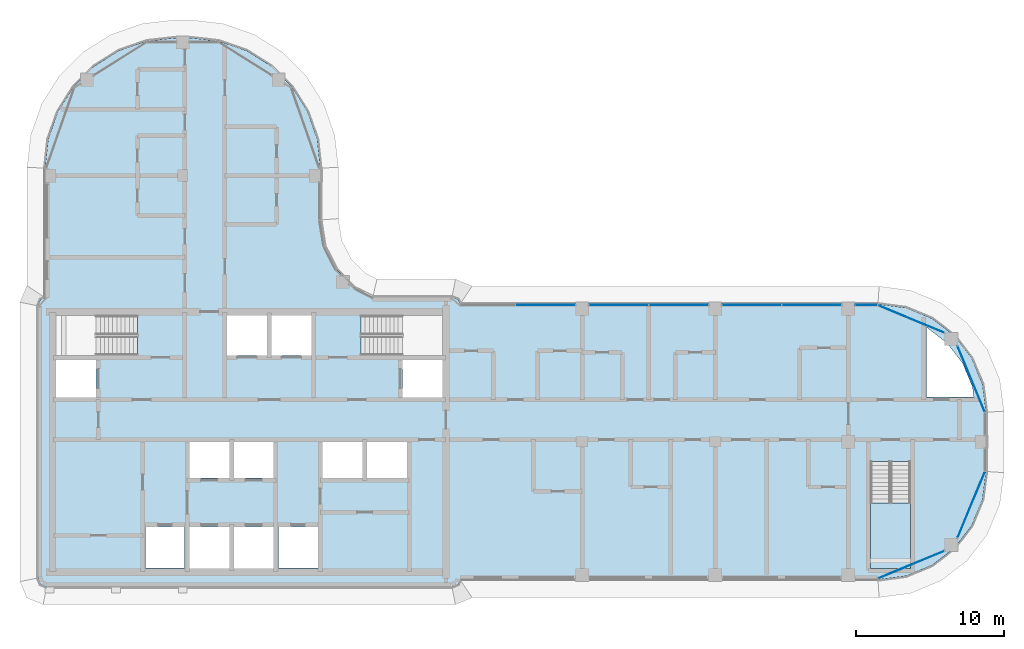
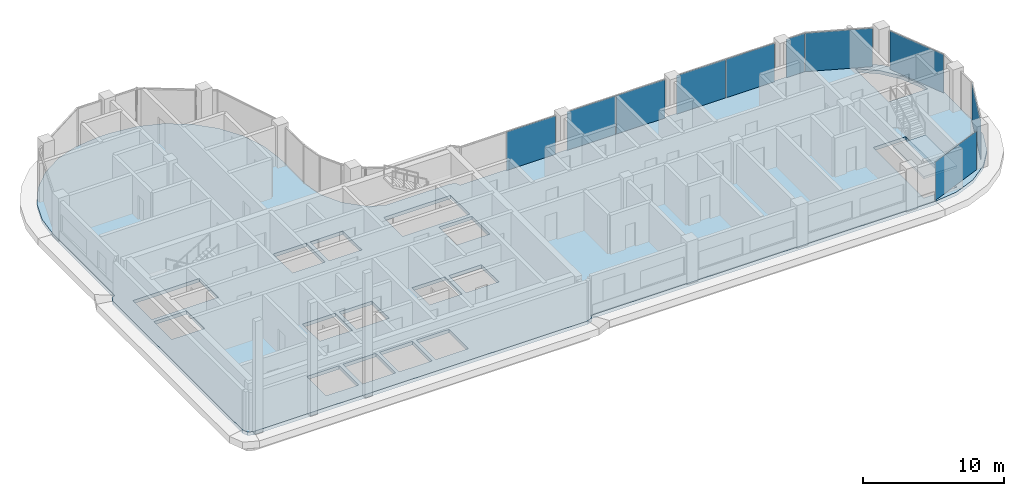
# One storey, part 8 of 20: 10 plates, 2 slabs, 9 elements without a shape of their own.
"""IFC4 building model written with IfcOpenShell, lengths in metres."""

from ifc_helpers import new_model, si_unit, direction, frame, origin, origin_2d, place, context, subcontext, project, spatial, polyline, rectangle, outline, extrude, material, layer, layer_set, type_object, element, aggregate, save


model = new_model("IFC4")

# Units and contexts
model_context = context("Model", 3, precision=1e-05, world=origin(), true_north=direction((0.0, 1.0)))
body_context = subcontext(model_context, "Body", "Model", "MODEL_VIEW")
ifc_project = project(units=[si_unit("LENGTHUNIT", "METRE"), si_unit("AREAUNIT", "SQUARE_METRE"), si_unit("VOLUMEUNIT", "CUBIC_METRE"), si_unit("PLANEANGLEUNIT", "RADIAN"), si_unit("MASSUNIT", "GRAM", prefix="KILO")], contexts=[model_context])

# Site, building, storey
site_placement = place(None, origin())
site = spatial("IfcSite", under=ifc_project, at=site_placement, CompositionType="ELEMENT")
building_placement = place(site_placement, origin())
building = spatial("IfcBuilding", under=site, at=building_placement, Name="Ogive Portal Towers", CompositionType="ELEMENT")
storey_placement = place(building_placement, frame((0.0, 0.0, 214.300048828125)))
storey = spatial("IfcBuildingStorey", under=building, at=storey_placement, Name="L53", CompositionType="ELEMENT", Elevation=214.300048828125)

# Curtain wall, plate
ifc_material_1 = material(Name="Glass, clear low-iron insulated glazing", Category="glass")
curtain_wall_type = type_object("IfcCurtainWallType", Name="CW FRONT RIBBON 4500", PredefinedType="NOTDEFINED", material=ifc_material_1)
curtain_wall_1_placement = place(storey_placement, origin())
curtain_wall_1 = element("IfcCurtainWall", 1, at=curtain_wall_1_placement, inside=storey, type_object=curtain_wall_type, Name="A:L53:f26:cw0~0", PredefinedType="NOTDEFINED")
ifc_layer_1 = layer(ifc_material_1, 0.028076171875)
ifc_layer_set_1 = layer_set([ifc_layer_1], Name="CW PANEL IGU 28")
plate_type = type_object("IfcPlateType", Name="CW PANEL IGU 28", PredefinedType="CURTAIN_PANEL", material=ifc_layer_set_1)
plate_1_placement = place(storey_placement, frame((86.717041015625, 39.739990234375, 0.0), z_axis=(0.0, 0.0, 1.0), x_axis=(-1.0, 0.0, 0.0)))
plate_1 = element("IfcPlate", 2, at=plate_1_placement, type_object=plate_type, Name="panel", PredefinedType="CURTAIN_PANEL", context=body_context, shape_type="SweptSolid", body=[
    extrude(rectangle(XDim=1.47412109375, YDim=0.028076171875, at=origin_2d()), origin(), (0.0, 0.0, 1.0), 3.340087890625),
])
aggregate(curtain_wall_1, [plate_1])

# Curtain wall, plates
curtain_wall_2_placement = place(storey_placement, origin())
curtain_wall_2 = element("IfcCurtainWall", 3, at=curtain_wall_2_placement, inside=storey, type_object=curtain_wall_type, Name="A:L53:f26:cw0~1", PredefinedType="NOTDEFINED")
plate_2_placement = place(storey_placement, frame((83.02490234375, 39.739990234375, 0.0), z_axis=(0.0, 0.0, 1.0), x_axis=(-1.0, 0.0, 0.0)))
plate_2 = element("IfcPlate", 4, at=plate_2_placement, type_object=plate_type, Name="panel", PredefinedType="CURTAIN_PANEL", context=body_context, shape_type="SweptSolid", body=[
    extrude(rectangle(XDim=3.989990234375, YDim=0.028076171875, at=origin_2d()), origin(), (0.0, 0.0, 1.0), 3.340087890625),
])
plate_3_placement = place(storey_placement, frame((78.97509765625, 39.739990234375, 0.0), z_axis=(0.0, 0.0, 1.0), x_axis=(-1.0, 0.0, 0.0)))
plate_3 = element("IfcPlate", 5, at=plate_3_placement, type_object=plate_type, Name="panel", PredefinedType="CURTAIN_PANEL", context=body_context, shape_type="SweptSolid", body=[
    extrude(rectangle(XDim=3.989990234375, YDim=0.028076171875, at=origin_2d()), origin(), (0.0, 0.0, 1.0), 3.340087890625),
])
aggregate(curtain_wall_2, [plate_2, plate_3])

curtain_wall_3_placement = place(storey_placement, origin())
curtain_wall_3 = element("IfcCurtainWall", 6, at=curtain_wall_3_placement, inside=storey, type_object=curtain_wall_type, Name="A:L53:f26:cw0~2", PredefinedType="NOTDEFINED")
plate_4_placement = place(storey_placement, frame((74.02490234375, 39.739990234375, 0.0), z_axis=(0.0, 0.0, 1.0), x_axis=(-1.0, 0.0, 0.0)))
plate_4 = element("IfcPlate", 7, at=plate_4_placement, type_object=plate_type, Name="panel", PredefinedType="CURTAIN_PANEL", context=body_context, shape_type="SweptSolid", body=[
    extrude(rectangle(XDim=3.989990234375, YDim=0.028076171875, at=origin_2d()), origin(), (0.0, 0.0, 1.0), 3.340087890625),
])
plate_5_placement = place(storey_placement, frame((69.97509765625, 39.739990234375, 0.0), z_axis=(0.0, 0.0, 1.0), x_axis=(-1.0, 0.0, 0.0)))
plate_5 = element("IfcPlate", 8, at=plate_5_placement, type_object=plate_type, Name="panel", PredefinedType="CURTAIN_PANEL", context=body_context, shape_type="SweptSolid", body=[
    extrude(rectangle(XDim=3.989990234375, YDim=0.028076171875, at=origin_2d()), origin(), (0.0, 0.0, 1.0), 3.340087890625),
])
aggregate(curtain_wall_3, [plate_4, plate_5])

# Curtain wall, plate
curtain_wall_4_placement = place(storey_placement, origin())
curtain_wall_4 = element("IfcCurtainWall", 9, at=curtain_wall_4_placement, inside=storey, type_object=curtain_wall_type, Name="A:L53:f26:cw0~3", PredefinedType="NOTDEFINED")
plate_6_placement = place(storey_placement, frame((65.02490234375, 39.739990234375, 0.0), z_axis=(0.0, 0.0, 1.0), x_axis=(-1.0, 0.0, 0.0)))
plate_6 = element("IfcPlate", 10, at=plate_6_placement, type_object=plate_type, Name="panel", PredefinedType="CURTAIN_PANEL", context=body_context, shape_type="SweptSolid", body=[
    extrude(rectangle(XDim=3.989990234375, YDim=0.028076171875, at=origin_2d()), origin(), (0.0, 0.0, 1.0), 3.340087890625),
])
aggregate(curtain_wall_4, [plate_6])

curtain_wall_5_placement = place(storey_placement, origin())
curtain_wall_5 = element("IfcCurtainWall", 11, at=curtain_wall_5_placement, inside=storey, type_object=curtain_wall_type, Name="A:L53:f21:cwa~0", PredefinedType="NOTDEFINED")
plate_7_placement = place(storey_placement, frame((89.741943359375, 22.1953125, 0.0), z_axis=(0.0, 0.0, 1.0), x_axis=(0.923879532511, 0.382683432365, 0.0)))
plate_7 = element("IfcPlate", 12, at=plate_7_placement, type_object=plate_type, Name="panel", PredefinedType="CURTAIN_PANEL", context=body_context, shape_type="SweptSolid", body=[
    extrude(rectangle(XDim=4.827880859375, YDim=0.028076171875, at=origin_2d()), origin(), (0.0, 0.0, 1.0), 3.340087890625),
])
aggregate(curtain_wall_5, [plate_7])

curtain_wall_6_placement = place(storey_placement, origin())
curtain_wall_6 = element("IfcCurtainWall", 13, at=curtain_wall_6_placement, inside=storey, type_object=curtain_wall_type, Name="A:L53:f21:cwa~1", PredefinedType="NOTDEFINED")
plate_8_placement = place(storey_placement, frame((93.8046875, 26.258056640625, 0.0), z_axis=(0.0, 0.0, 1.0), x_axis=(0.382683432365, 0.923879532511, 0.0)))
plate_8 = element("IfcPlate", 14, at=plate_8_placement, type_object=plate_type, Name="panel", PredefinedType="CURTAIN_PANEL", context=body_context, shape_type="SweptSolid", body=[
    extrude(rectangle(XDim=4.827880859375, YDim=0.028076171875, at=origin_2d()), origin(), (0.0, 0.0, 1.0), 3.340087890625),
])
aggregate(curtain_wall_6, [plate_8])

curtain_wall_7_placement = place(storey_placement, origin())
curtain_wall_7 = element("IfcCurtainWall", 15, at=curtain_wall_7_placement, inside=storey, type_object=curtain_wall_type, Name="A:L53:f24:cwa~0", PredefinedType="NOTDEFINED")
plate_9_placement = place(storey_placement, frame((93.8046875, 34.741943359375, 0.0), z_axis=(0.0, 0.0, 1.0), x_axis=(-0.382683432365, 0.923879532511, 0.0)))
plate_9 = element("IfcPlate", 16, at=plate_9_placement, type_object=plate_type, Name="panel", PredefinedType="CURTAIN_PANEL", context=body_context, shape_type="SweptSolid", body=[
    extrude(rectangle(XDim=4.827880859375, YDim=0.028076171875, at=origin_2d()), origin(), (0.0, 0.0, 1.0), 3.340087890625),
])
aggregate(curtain_wall_7, [plate_9])

curtain_wall_8_placement = place(storey_placement, origin())
curtain_wall_8 = element("IfcCurtainWall", 17, at=curtain_wall_8_placement, inside=storey, type_object=curtain_wall_type, Name="A:L53:f24:cwa~1", PredefinedType="NOTDEFINED")
plate_10_placement = place(storey_placement, frame((89.741943359375, 38.8046875, 0.0), z_axis=(0.0, 0.0, 1.0), x_axis=(-0.923879532511, 0.382683432365, 0.0)))
plate_10 = element("IfcPlate", 18, at=plate_10_placement, type_object=plate_type, Name="panel", PredefinedType="CURTAIN_PANEL", context=body_context, shape_type="SweptSolid", body=[
    extrude(rectangle(XDim=4.827880859375, YDim=0.028076171875, at=origin_2d()), origin(), (0.0, 0.0, 1.0), 3.340087890625),
])
aggregate(curtain_wall_8, [plate_10])

# Stair, slab
ifc_material_2 = material(Name="Concrete C40/50", Category="concrete")
stair_type = type_object("IfcStairType", Name="INT-STAIR", PredefinedType="HALF_TURN_STAIR", material=ifc_material_2)
stair_placement = place(storey_placement, origin())
stair = element("IfcStair", 19, at=stair_placement, inside=storey, type_object=stair_type, Name="L53 Exit Stair ST-A4", PredefinedType="HALF_TURN_STAIR")
ifc_layer_2 = layer(ifc_material_2, 0.199951171875)
ifc_layer_set_2 = layer_set([ifc_layer_2], Name="INT-LANDING")
slab_type_1 = type_object("IfcSlabType", Name="INT-LANDING", PredefinedType="LANDING", material=ifc_layer_set_2)
slab_1_placement = place(storey_placement, frame((0.0, 0.0, 1.64990234375)))
slab_1 = element("IfcSlab", 20, at=slab_1_placement, type_object=slab_type_1, Name="ST-A4 landing 1", PredefinedType="LANDING", context=body_context, shape_type="SweptSolid", body=[
    extrude(outline(polyline([(87.0, 26.3701171875), (87.0, 21.949951171875), (89.699951171875, 21.949951171875), (89.699951171875, 26.3701171875), (87.0, 26.3701171875)])), origin(), (0.0, 0.0, 1.0), 0.199951171875),
])
aggregate(stair, [slab_1])

# Slab
ifc_material_3 = material(Name="Concrete C45/55", Category="concrete")
ifc_layer_3 = layer(ifc_material_3, 0.300048828125)
ifc_layer_set_3 = layer_set([ifc_layer_3], Name="PT FLAT PLATE 300")
slab_type_2 = type_object("IfcSlabType", Name="PT FLAT PLATE 300", PredefinedType="FLOOR", material=ifc_layer_set_3)
slab_2_placement = place(storey_placement, frame((0.0, 0.0, -0.300048828125)))
element("IfcSlab", 21, at=slab_2_placement, inside=storey, type_object=slab_type_2, Name="Floor slab L53", PredefinedType="FLOOR", context=body_context, shape_type="SweptSolid", body=[
    extrude(outline(polyline([(89.39453125, 39.570556640625), (87.5, 39.820068359375), (59.250244140625, 39.820068359375), (59.124267578125, 40.124267578125), (58.699951171875, 40.300048828125), (53.348388671875, 40.300048828125), (52.161376953125, 40.90478515625), (50.90478515625, 42.161376953125), (50.097900390625, 43.744873046875), (49.820068359375, 45.5), (49.820068359375, 49.0), (49.598876953125, 50.962646484375), (48.946533203125, 52.826904296875), (47.895751953125, 54.499267578125), (46.499267578125, 55.895751953125), (44.826904296875, 56.946533203125), (42.962646484375, 57.598876953125), (41.0, 57.820068359375), (40.0, 57.820068359375), (38.037353515625, 57.598876953125), (36.173095703125, 56.946533203125), (34.500732421875, 55.895751953125), (33.104248046875, 54.499267578125), (32.053466796875, 52.826904296875), (31.401123046875, 50.962646484375), (31.179931640625, 49.0), (31.179931640625, 40.250244140625), (30.875732421875, 40.124267578125), (30.699951171875, 39.699951171875), (30.699951171875, 21.300048828125), (30.875732421875, 20.875732421875), (31.300048828125, 20.699951171875), (58.699951171875, 20.699951171875), (59.124267578125, 20.875732421875), (59.250244140625, 21.179931640625), (87.5, 21.179931640625), (89.39453125, 21.429443359375), (91.159912109375, 22.16064453125), (92.676025390625, 23.323974609375), (93.83935546875, 24.840087890625), (94.570556640625, 26.60546875), (94.820068359375, 28.5), (94.820068359375, 32.5), (94.570556640625, 34.39453125), (93.83935546875, 36.159912109375), (92.676025390625, 37.676025390625), (91.159912109375, 38.83935546875), (89.39453125, 39.570556640625)]), holes=[polyline([(40.6298828125, 21.969970703125), (37.969970703125, 21.969970703125), (37.969970703125, 24.72998046875), (40.6298828125, 24.72998046875), (40.6298828125, 21.969970703125)]), polyline([(43.64990234375, 24.75), (43.64990234375, 21.949951171875), (40.949951171875, 21.949951171875), (40.949951171875, 24.75), (43.64990234375, 24.75)]), polyline([(46.64990234375, 24.75), (46.64990234375, 21.949951171875), (43.949951171875, 21.949951171875), (43.949951171875, 24.75), (46.64990234375, 24.75)]), polyline([(43.64990234375, 30.5), (43.64990234375, 28.050048828125), (40.949951171875, 28.050048828125), (40.949951171875, 30.5), (43.64990234375, 30.5)]), polyline([(46.64990234375, 30.5), (46.64990234375, 28.050048828125), (43.949951171875, 28.050048828125), (43.949951171875, 30.5), (46.64990234375, 30.5)]), polyline([(34.64990234375, 36.050048828125), (34.64990234375, 33.5), (31.949951171875, 33.5), (31.949951171875, 36.050048828125), (34.64990234375, 36.050048828125)]), polyline([(31.951904296875, 39.048095703125), (37.447998046875, 39.048095703125), (37.447998046875, 36.35205078125), (31.951904296875, 36.35205078125), (31.951904296875, 39.048095703125)]), polyline([(46.199951171875, 39.050048828125), (46.199951171875, 36.35009765625), (43.5, 36.35009765625), (43.5, 39.050048828125), (46.199951171875, 39.050048828125)]), polyline([(49.6298828125, 21.969970703125), (46.969970703125, 21.969970703125), (46.969970703125, 24.72998046875), (49.6298828125, 24.72998046875), (49.6298828125, 21.969970703125)]), polyline([(87.001953125, 21.951904296875), (87.001953125, 29.16796875), (89.697998046875, 29.16796875), (89.697998046875, 21.951904296875), (87.001953125, 21.951904296875)]), polyline([(52.64990234375, 30.5), (52.64990234375, 28.050048828125), (49.949951171875, 28.050048828125), (49.949951171875, 30.5), (52.64990234375, 30.5)]), polyline([(55.64990234375, 30.5), (55.64990234375, 28.050048828125), (52.949951171875, 28.050048828125), (52.949951171875, 30.5), (55.64990234375, 30.5)]), polyline([(58.050048828125, 36.050048828125), (58.050048828125, 33.5), (55.35009765625, 33.5), (55.35009765625, 36.050048828125), (58.050048828125, 36.050048828125)]), polyline([(92.1767578125, 37.1767578125), (93.227783203125, 35.806884765625), (93.888671875, 34.2119140625), (93.979736328125, 33.52001953125), (90.77001953125, 33.52001953125), (90.77001953125, 38.2431640625), (90.806884765625, 38.227783203125), (92.1767578125, 37.1767578125)]), polyline([(49.199951171875, 39.050048828125), (49.199951171875, 36.35009765625), (46.5, 36.35009765625), (46.5, 39.050048828125), (49.199951171875, 39.050048828125)]), polyline([(58.048095703125, 36.35205078125), (52.552001953125, 36.35205078125), (52.552001953125, 39.048095703125), (58.048095703125, 39.048095703125), (58.048095703125, 36.35205078125)])]), origin(), (0.0, 0.0, 1.0), 0.300048828125),
])

save(model, "model.ifc")
